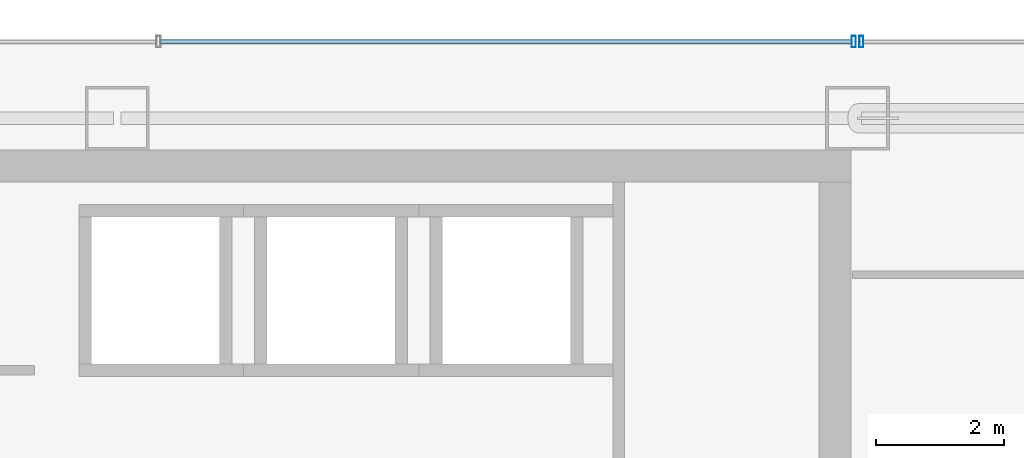
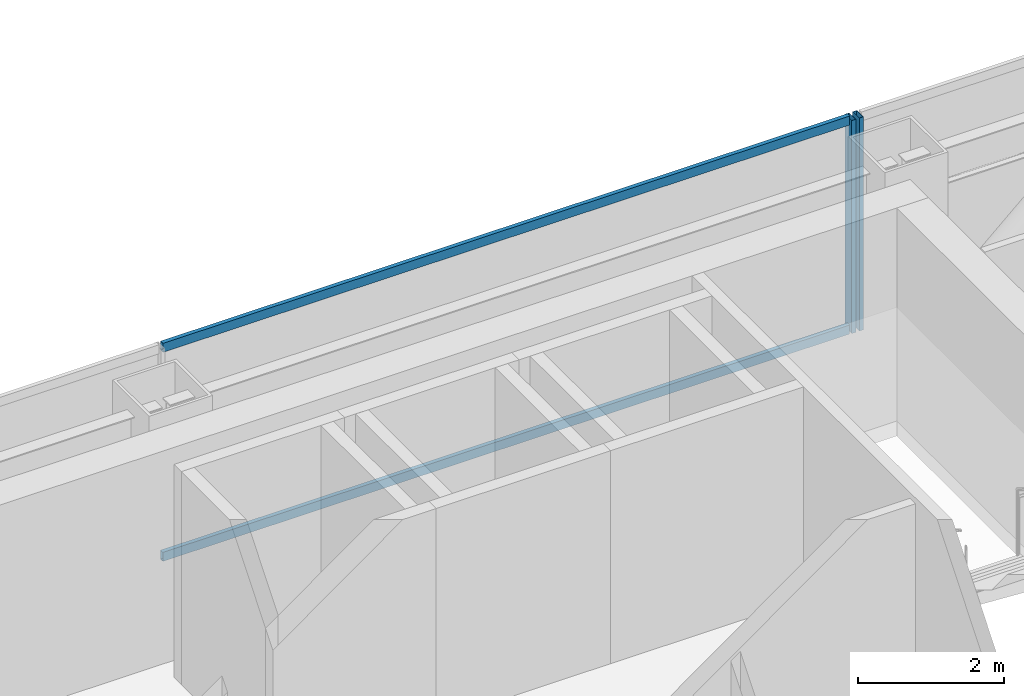
# One storey, part 27 of 37: 4 members, 2 elements without a shape of their own.
"""IFC4 building model written with IfcOpenShell, lengths in metres."""

from ifc_helpers import new_model, si_unit, direction, frame, origin, origin_2d, place, context, subcontext, project, spatial, hollow_rectangle, extrude, material, material_profile, profile_set, type_object, element, aggregate, save


model = new_model("IFC4")

# Units and contexts
model_context = context("Model", 3, precision=1e-05, world=origin(), true_north=direction((0.0, 1.0)))
body_context = subcontext(model_context, "Body", "Model", "MODEL_VIEW")
ifc_project = project(units=[si_unit("LENGTHUNIT", "METRE"), si_unit("AREAUNIT", "SQUARE_METRE"), si_unit("VOLUMEUNIT", "CUBIC_METRE"), si_unit("PLANEANGLEUNIT", "RADIAN"), si_unit("MASSUNIT", "GRAM", prefix="KILO")], contexts=[model_context])

# Site, building, storey
site_placement = place(None, origin())
site = spatial("IfcSite", under=ifc_project, at=site_placement, CompositionType="ELEMENT")
building_placement = place(site_placement, origin())
building = spatial("IfcBuilding", under=site, at=building_placement, Name="Saevonmaru Cultural Tower", CompositionType="ELEMENT")
storey_placement = place(building_placement, frame((0.0, 0.0, 144.800048828125)))
storey = spatial("IfcBuildingStorey", under=building, at=storey_placement, Name="L31", CompositionType="ELEMENT", Elevation=144.800048828125)

# Curtain wall, member
ifc_material = material(Name="Satin Bronze Anodised Aluminium", Category="aluminium")
curtain_wall_type = type_object("IfcCurtainWallType", Name="CW-TYP-A", PredefinedType="NOTDEFINED", material=ifc_material)
curtain_wall_1_placement = place(storey_placement, origin())
curtain_wall_1 = element("IfcCurtainWall", 1, at=curtain_wall_1_placement, inside=storey, type_object=curtain_wall_type, Name="L31 East Braced Bay Spandrel Curtain Wall E10A", PredefinedType="NOTDEFINED")
ifc_material_profile_1 = material_profile(ifc_material, hollow_rectangle(XDim=0.06494140625, YDim=0.179931640625, WallThickness=0.00390625, at=origin_2d()), Name="ALU-MULL-180x65x4")
ifc_profile_set_1 = profile_set([ifc_material_profile_1], Name="Satin Bronze Anodised Aluminium")
member_type_1 = type_object("IfcMemberType", Name="ML-CW-180x65", PredefinedType="MULLION", material=ifc_profile_set_1)
member_1_placement = place(storey_placement, frame((46.4599609375, 56.0, 0.0), z_axis=(0.0, 0.0, 1.0), x_axis=(-1.0, 0.0, 0.0)))
member_1 = element("IfcMember", 2, at=member_1_placement, type_object=member_type_1, Name="CW-TW-L31-E10A mullion 2", PredefinedType="MULLION", context=body_context, shape_type="SweptSolid", body=[
    extrude(hollow_rectangle(XDim=0.06494140625, YDim=0.179931640625, WallThickness=0.00390625, at=origin_2d()), origin(), (0.0, 0.0, 1.0), 3.550048828125),
])
aggregate(curtain_wall_1, [member_1])

# Curtain wall, members
curtain_wall_2_placement = place(storey_placement, origin())
curtain_wall_2 = element("IfcCurtainWall", 3, at=curtain_wall_2_placement, inside=storey, type_object=curtain_wall_type, Name="L31 North Spine Unitised Curtain Wall E10B", PredefinedType="NOTDEFINED")
member_2_placement = place(storey_placement, frame((46.340087890625, 56.0, 0.0), z_axis=(0.0, 0.0, 1.0), x_axis=(-1.0, 0.0, 0.0)))
member_2 = element("IfcMember", 4, at=member_2_placement, type_object=member_type_1, Name="CW-TW-L31-E10B mullion 1", PredefinedType="MULLION", context=body_context, shape_type="SweptSolid", body=[
    extrude(hollow_rectangle(XDim=0.06494140625, YDim=0.179931640625, WallThickness=0.00390625, at=origin_2d()), origin(), (0.0, 0.0, 1.0), 3.550048828125),
])
ifc_material_profile_2 = material_profile(ifc_material, hollow_rectangle(XDim=0.06494140625, YDim=0.14990234375, WallThickness=0.00390625, at=origin_2d()), Name="ALU-TRAN-150x65x4")
ifc_profile_set_2 = profile_set([ifc_material_profile_2], Name="Satin Bronze Anodised Aluminium")
member_type_2 = type_object("IfcMemberType", Name="TR-CW-150x65", PredefinedType="USERDEFINED", material=ifc_profile_set_2)
member_3_placement = place(storey_placement, frame((46.3076171875, 56.0, 0.032470703125), z_axis=(-1.0, 0.0, 0.0), x_axis=(0.0, -1.0, 0.0)))
member_3 = element("IfcMember", 5, at=member_3_placement, type_object=member_type_2, Name="CW-TW-L31-E10B transom 1.1", ObjectType="TRANSOM", PredefinedType="USERDEFINED", context=body_context, shape_type="SweptSolid", body=[
    extrude(hollow_rectangle(XDim=0.06494140625, YDim=0.14990234375, WallThickness=0.00390625, at=origin_2d()), origin(), (0.0, 0.0, 1.0), 10.828369140625),
])
member_4_placement = place(storey_placement, frame((46.3076171875, 56.0, 3.517333984375), z_axis=(-1.0, 0.0, 0.0), x_axis=(0.0, -1.0, 0.0)))
member_4 = element("IfcMember", 6, at=member_4_placement, type_object=member_type_2, Name="CW-TW-L31-E10B transom 1.2", ObjectType="TRANSOM", PredefinedType="USERDEFINED", context=body_context, shape_type="SweptSolid", body=[
    extrude(hollow_rectangle(XDim=0.06494140625, YDim=0.14990234375, WallThickness=0.00390625, at=origin_2d()), origin(), (0.0, 0.0, 1.0), 10.828369140625),
])
aggregate(curtain_wall_2, [member_2, member_3, member_4])

save(model, "model.ifc")
